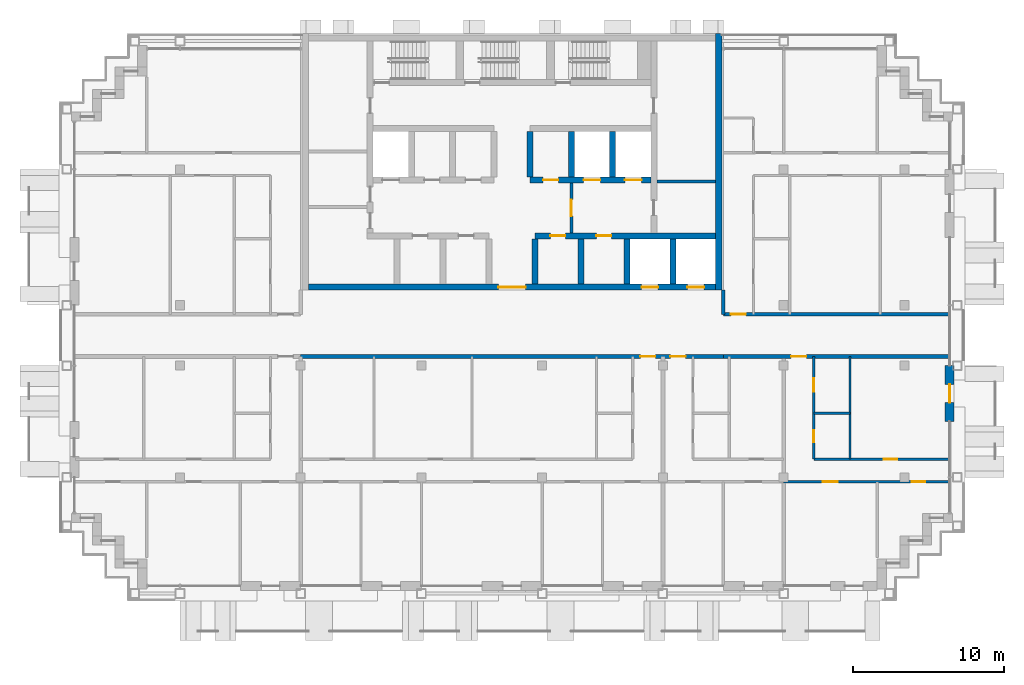
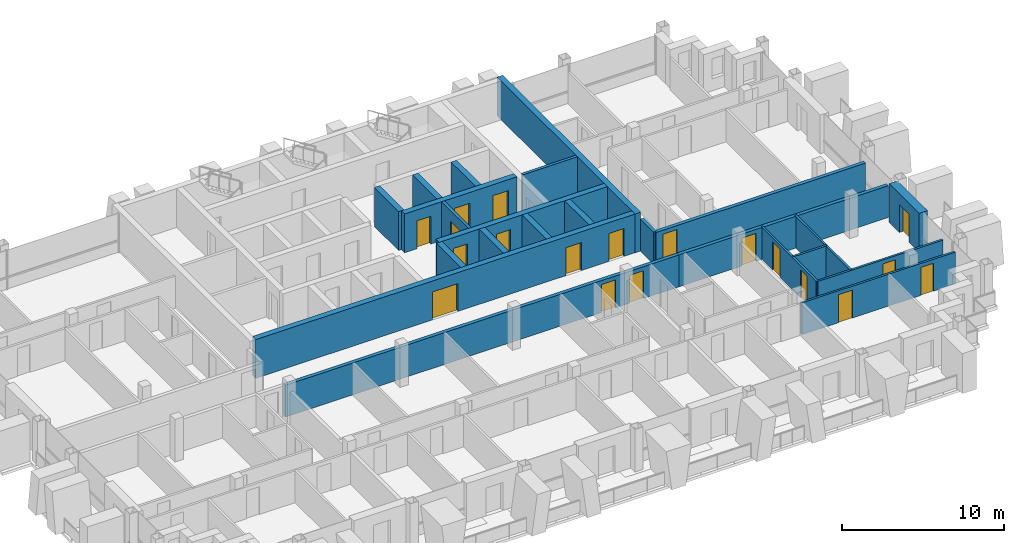
# One storey, part 10 of 16: 23 walls, 19 doors, 19 openings.
"""IFC4 building model written with IfcOpenShell, lengths in metres."""

import ifcopenshell
import ifcopenshell.guid

model = None  # the IFC model being written
_history = None  # IfcOwnerHistory: only IFC2X3 demands one
_inside = {}  # id of a spatial element -> (the spatial element, [elements in it])
_under = {}  # id of a project, library or spatial element -> (it, [spatial elements below it])
_declared = {}  # id of a project -> (the project, [libraries it declares])
_typed = {}  # id of a type object -> (the type object, [elements of that type])
_made_of = {}  # id of a material, layer set ... -> (it, [elements and type objects made of it])


def new_model(schema):
    """Start an empty IFC model of exactly this schema.

    Asked for "IFC4X3", IfcOpenShell would pick the latest addendum, in which some entities
    have other attributes; the version numbers below select the first issue.
    IFC2X3 requires an IfcOwnerHistory on every rooted entity: one is made here for all.
    """
    global model, _history
    if schema == "IFC4X3":
        model = ifcopenshell.file(schema_version=(4, 3, 0, 0))
    else:
        model = ifcopenshell.file(schema=schema)
    _inside.clear()
    _under.clear()
    _declared.clear()
    _typed.clear()
    _made_of.clear()
    _history = None
    if model.schema == "IFC2X3":
        org = make("IfcOrganization", Name="unknown")
        user = make(
            "IfcPersonAndOrganization",
            ThePerson=make("IfcPerson", FamilyName="unknown"),
            TheOrganization=org,
        )
        app = make(
            "IfcApplication",
            ApplicationDeveloper=org,
            Version="unknown",
            ApplicationFullName="unknown",
            ApplicationIdentifier="unknown",
        )
        _history = make(
            "IfcOwnerHistory",
            OwningUser=user,
            OwningApplication=app,
            ChangeAction="ADDED",
            CreationDate=0,
        )
    return model


def make(cls, **values):
    """One entity of the class cls with the attributes given. An attribute that is None is left unset."""
    return model.create_entity(
        cls, **{name: value for name, value in values.items() if value is not None}
    )


def rooted(cls, **values):
    """An entity with a GlobalId (a new one), such as an element, a storey or a relation."""
    return make(cls, GlobalId=ifcopenshell.guid.new(), OwnerHistory=_history, **values)


def si_unit(unit_type, name, prefix=None):
    """IfcSIUnit, for example si_unit("LENGTHUNIT", "METRE", prefix="MILLI")."""
    return make("IfcSIUnit", UnitType=unit_type, Prefix=prefix, Name=name)


def assignment(units):
    """IfcUnitAssignment: the units of a project."""
    return None if units is None else make("IfcUnitAssignment", Units=units)


def point(xyz):
    """IfcCartesianPoint."""
    return None if xyz is None else make("IfcCartesianPoint", Coordinates=xyz)


def direction(xyz):
    """IfcDirection."""
    return None if xyz is None else make("IfcDirection", DirectionRatios=xyz)


def frame(location, z_axis=None, x_axis=None):
    """IfcAxis2Placement3D, a coordinate frame: its origin and axes. An axis left out is left unset."""
    return make(
        "IfcAxis2Placement3D",
        Location=point(location),
        Axis=direction(z_axis),
        RefDirection=direction(x_axis),
    )


def frame_2d(location, x_axis=None):
    """IfcAxis2Placement2D, a coordinate frame in the plane: its origin and x axis."""
    return make(
        "IfcAxis2Placement2D", Location=point(location), RefDirection=direction(x_axis)
    )


def origin():
    """The frame at (0, 0, 0) with its axes left unset."""
    return frame((0.0, 0.0, 0.0))


def place(relative_to, where):
    """IfcLocalPlacement: puts the frame where relative to a parent placement (None: the world)."""
    return make(
        "IfcLocalPlacement", PlacementRelTo=relative_to, RelativePlacement=where
    )


def context(
    kind, dimensions, precision=None, world=None, true_north=None, identifier=None
):
    """IfcGeometricRepresentationContext, for example the 3D "Model" context."""
    return make(
        "IfcGeometricRepresentationContext",
        ContextIdentifier=identifier,
        ContextType=kind,
        CoordinateSpaceDimension=dimensions,
        Precision=precision,
        WorldCoordinateSystem=world,
        TrueNorth=true_north,
    )


def subcontext(parent, identifier, kind, view, scale=None):
    """IfcGeometricRepresentationSubContext, for example "Body" below "Model"."""
    return make(
        "IfcGeometricRepresentationSubContext",
        ContextIdentifier=identifier,
        ContextType=kind,
        ParentContext=parent,
        TargetScale=scale,
        TargetView=view,
    )


def project(units=None, contexts=None):
    """IfcProject with its units and contexts."""
    return rooted(
        "IfcProject",
        Name="project",
        RepresentationContexts=contexts,
        UnitsInContext=assignment(units),
    )


def spatial(cls, under=None, at=None, **own):
    """A site, building, storey or space (cls), placed at a placement, below another one or the project."""
    s = rooted(cls, ObjectPlacement=at, **own)
    if under is not None:
        _under.setdefault(under.id(), (under, []))[1].append(s)
    return s


def profile(cls, at=None, kind="AREA", **sizes):
    """A parametric profile (cls). Its sizes go by their IFC names, for example OverallWidth=200.0."""
    return make(cls, ProfileType=kind, Position=at, **sizes)


def rectangle(**sizes):
    """IfcRectangleProfileDef."""
    return profile("IfcRectangleProfileDef", **sizes)


def extrude(swept, where, along, depth):
    """IfcExtrudedAreaSolid: the profile swept, set in the frame where, extruded along a direction by depth."""
    return make(
        "IfcExtrudedAreaSolid",
        SweptArea=swept,
        Position=where,
        ExtrudedDirection=direction(along),
        Depth=depth,
    )


def shape(context_of_items, identifier, shape_type, items):
    """IfcShapeRepresentation: the items that make up one representation, for example the "Body"."""
    return make(
        "IfcShapeRepresentation",
        ContextOfItems=context_of_items,
        RepresentationIdentifier=identifier,
        RepresentationType=shape_type,
        Items=items,
    )


def material(Name=None, Category=None):
    """IfcMaterial."""
    return make("IfcMaterial", Name=Name, Category=Category)


def layer(
    of_material, thickness, ventilated=None, Name=None, Category=None, Priority=None
):
    """IfcMaterialLayer: one layer of a wall or slab, of a material (None: an air gap)."""
    return make(
        "IfcMaterialLayer",
        Material=of_material,
        LayerThickness=thickness,
        IsVentilated=ventilated,
        Name=Name,
        Category=Category,
        Priority=Priority,
    )


def layer_set(layers, Name=None):
    """IfcMaterialLayerSet."""
    return make("IfcMaterialLayerSet", MaterialLayers=layers, LayerSetName=Name)


def made_of(thing, what):
    """Note that an element or type object is made of a material, layer set ...; save() writes the relation."""
    if what is not None:
        _made_of.setdefault(what.id(), (what, []))[1].append(thing)
    return thing


def type_object(cls, material=None, **own):
    """A type object (cls), such as IfcWallType, which elements share."""
    return made_of(rooted(cls, **own), material)


def element(
    cls,
    number,
    at=None,
    inside=None,
    cuts=None,
    type_object=None,
    material=None,
    context=None,
    identifier="Body",
    shape_type=None,
    held_by="IfcProductDefinitionShape",
    body=None,
    shapes=None,
    **own,
):
    """One element of the class cls, such as IfcWall. Its Tag is "e" and its number.

    at: its placement. inside: the storey or other place that contains it. cuts: it is an
    opening in that element (IfcRelVoidsElement). A single representation is given by context,
    identifier, shape_type and body (its items); several are given by shapes. held_by: the class
    of the entity that holds the representations. save() writes the other relations.
    """
    e = rooted(cls, Tag="e%d" % number, ObjectPlacement=at, **own)
    if body is not None:
        shapes = [shape(context, identifier, shape_type, body)]
    if shapes is not None:
        e.Representation = make(held_by, Representations=shapes)
    if inside is not None:
        _inside.setdefault(inside.id(), (inside, []))[1].append(e)
    if cuts is not None:
        rooted(
            "IfcRelVoidsElement", RelatingBuildingElement=cuts, RelatedOpeningElement=e
        )
    if type_object is not None:
        _typed.setdefault(type_object.id(), (type_object, []))[1].append(e)
    return made_of(e, material)


def fill(opening, filler):
    """IfcRelFillsElement: the door or window that sits in an opening."""
    return rooted(
        "IfcRelFillsElement",
        RelatingOpeningElement=opening,
        RelatedBuildingElement=filler,
    )


def aggregate(whole, parts):
    """IfcRelAggregates: a whole, such as a stair, and the parts it consists of."""
    return rooted("IfcRelAggregates", RelatingObject=whole, RelatedObjects=parts)


def save(model, path):
    """Write the relations noted so far, then the file.

    IfcRelAggregates (storeys below a building ...), IfcRelContainedInSpatialStructure (elements
    in a storey), IfcRelDefinesByType, IfcRelAssociatesMaterial and IfcRelDeclares: one each for
    every whole, place, type object, material and project.
    """
    for whole, parts in _under.values():
        aggregate(whole, parts)
    for where, things in _inside.values():
        rooted(
            "IfcRelContainedInSpatialStructure",
            RelatedElements=things,
            RelatingStructure=where,
        )
    for kind, things in _typed.values():
        rooted("IfcRelDefinesByType", RelatedObjects=things, RelatingType=kind)
    for what, things in _made_of.values():
        rooted("IfcRelAssociatesMaterial", RelatedObjects=things, RelatingMaterial=what)
    for by, libraries in _declared.values():
        rooted("IfcRelDeclares", RelatingContext=by, RelatedDefinitions=libraries)
    model.write(path)


model = new_model("IFC4")

# Units and contexts
model_context = context("Model", 3, precision=1e-05, world=origin(), true_north=direction((0.0, 1.0)))
body_context = subcontext(model_context, "Body", "Model", "MODEL_VIEW")
ifc_project = project(units=[si_unit("LENGTHUNIT", "METRE"), si_unit("AREAUNIT", "SQUARE_METRE"), si_unit("VOLUMEUNIT", "CUBIC_METRE"), si_unit("PLANEANGLEUNIT", "RADIAN"), si_unit("MASSUNIT", "GRAM", prefix="KILO")], contexts=[model_context])

# Site, building, storey
site_placement = place(None, origin())
site = spatial("IfcSite", under=ifc_project, at=site_placement, CompositionType="ELEMENT")
building_placement = place(site_placement, origin())
building = spatial("IfcBuilding", under=site, at=building_placement, Name="Vidyagriha Tower", CompositionType="ELEMENT")
storey_placement = place(building_placement, frame((0.0, 0.0, 207.60009765625)))
storey = spatial("IfcBuildingStorey", under=building, at=storey_placement, Name="L53", CompositionType="ELEMENT", Elevation=207.60009765625)

# Wall, opening, door
ifc_material_1 = material(Name="Precast concrete C40/50 with brick facing", Category="concrete")
ifc_layer_1 = layer(ifc_material_1, 0.60009765625)
ifc_layer_set_1 = layer_set([ifc_layer_1], Name="Precast concrete C40/50 with brick facing")
wall_type_1 = type_object("IfcWallType", Name="Brick-faced precast wall 600", PredefinedType="STANDARD", material=ifc_layer_set_1)
wall_1_placement = place(storey_placement, frame((29.0, -5.699951171875, 0.0), z_axis=(0.0, 0.0, 1.0), x_axis=(0.0, 1.0, 0.0)))
wall_1 = element("IfcWall", 1, at=wall_1_placement, inside=storey, type_object=wall_type_1, Name="Brick door bay wall L53 R30.3", PredefinedType="STANDARD", context=body_context, shape_type="SweptSolid", body=[
    extrude(rectangle(XDim=3.699951171875, YDim=0.60009765625, at=frame_2d((1.85009765625, 0.0))), origin(), (0.0, 0.0, 1.0), 2.919921875),
])
opening_1_placement = place(wall_1_placement, frame((1.25, 0.0, 0.0)))
opening_1 = element("IfcOpeningElement", 2, at=opening_1_placement, cuts=wall_1, Name="Opening D53-73", PredefinedType="OPENING", context=body_context, shape_type="SweptSolid", body=[
    extrude(rectangle(XDim=1.199951171875, YDim=2.10009765625, at=frame_2d((0.60009765625, 1.050048828125))), frame((0.0, 0.31005859375, 0.0), z_axis=(0.0, -1.0, 0.0), x_axis=(1.0, 0.0, 0.0)), (0.0, 0.0, 1.0), 0.6201171875),
])
ifc_material_2 = material(Name="Aluminium framed glazed sliding door", Category="aluminium")
door_type_1 = type_object("IfcDoorType", Name="Balcony sliding door 1200x2100", OperationType="NOTDEFINED", PredefinedType="DOOR", material=ifc_material_2)
door_1_placement = place(opening_1_placement, origin())
door_1 = element("IfcDoor", 3, at=door_1_placement, inside=storey, type_object=door_type_1, Name="Door D53-73", OperationType="SLIDING_TO_LEFT", OverallHeight=2.10009765625, OverallWidth=1.199951171875, PredefinedType="DOOR", context=body_context, shape_type="SweptSolid", body=[
    extrude(rectangle(XDim=1.199951171875, YDim=2.10009765625, at=frame_2d((0.60009765625, 1.050048828125))), frame((0.0, 0.02490234375, 0.0), z_axis=(0.0, -1.0, 0.0), x_axis=(1.0, 0.0, 0.0)), (0.0, 0.0, 1.0), 0.050048828125),
])
fill(opening_1, door_1)

# Wall
ifc_material_3 = material(Name="Concrete C60/75", Category="concrete")
ifc_layer_2 = layer(ifc_material_3, 0.39990234375)
ifc_layer_set_2 = layer_set([ifc_layer_2], Name="Concrete C60/75")
wall_type_2 = type_object("IfcWallType", Name="Core shear wall 400 mm", PredefinedType="SHEAR", material=ifc_layer_set_2)
wall_2_placement = place(storey_placement, frame((13.699951171875, 3.0, 0.0), z_axis=(0.0, 0.0, 1.0), x_axis=(0.0, 1.0, 0.0)))
element("IfcWall", 4, at=wall_2_placement, inside=storey, type_object=wall_type_2, Name="Core east wall", PredefinedType="SHEAR", context=body_context, shape_type="SweptSolid", body=[
    extrude(rectangle(XDim=17.0, YDim=0.39990234375, at=frame_2d((8.5, 0.0))), origin(), (0.0, 0.0, 1.0), 2.919921875),
])

# Wall, openings, doors
wall_3_placement = place(storey_placement, frame((-13.5, 3.199951171875, 0.0)))
wall_3 = element("IfcWall", 5, at=wall_3_placement, inside=storey, type_object=wall_type_2, Name="Core front wall", PredefinedType="SHEAR", context=body_context, shape_type="SweptSolid", body=[
    extrude(rectangle(XDim=27.0, YDim=0.39990234375, at=frame_2d((13.5, 0.0))), origin(), (0.0, 0.0, 1.0), 2.919921875),
])
opening_2_placement = place(wall_3_placement, frame((22.083251953125, 0.0, 0.0)))
opening_2 = element("IfcOpeningElement", 6, at=opening_2_placement, cuts=wall_3, Name="Opening LD53-01", PredefinedType="OPENING", context=body_context, shape_type="SweptSolid", body=[
    extrude(rectangle(XDim=1.10009765625, YDim=2.10009765625, at=frame_2d((0.550048828125, 1.050048828125))), frame((0.0, 0.2099609375, 0.0), z_axis=(0.0, -1.0, 0.0), x_axis=(1.0, 0.0, 0.0)), (0.0, 0.0, 1.0), 0.419921875),
])
opening_3_placement = place(wall_3_placement, frame((25.127685546875, 0.0, 0.0)))
opening_3 = element("IfcOpeningElement", 7, at=opening_3_placement, cuts=wall_3, Name="Opening LD53-02", PredefinedType="OPENING", context=body_context, shape_type="SweptSolid", body=[
    extrude(rectangle(XDim=1.10009765625, YDim=2.10009765625, at=frame_2d((0.550048828125, 1.050048828125))), frame((0.0, 0.2099609375, 0.0), z_axis=(0.0, -1.0, 0.0), x_axis=(1.0, 0.0, 0.0)), (0.0, 0.0, 1.0), 0.419921875),
])
opening_4_placement = place(wall_3_placement, frame((12.60009765625, 0.0, 0.0)))
opening_4 = element("IfcOpeningElement", 8, at=opening_4_placement, cuts=wall_3, Name="Opening D53-01", PredefinedType="OPENING", context=body_context, shape_type="SweptSolid", body=[
    extrude(rectangle(XDim=1.800048828125, YDim=2.10009765625, at=frame_2d((0.89990234375, 1.050048828125))), frame((0.0, 0.2099609375, 0.0), z_axis=(0.0, -1.0, 0.0), x_axis=(1.0, 0.0, 0.0)), (0.0, 0.0, 1.0), 0.419921875),
])
ifc_material_4 = material(Name="Hollow metal door leaf")
door_type_2 = type_object("IfcDoorType", Name="Core lobby double door 1800 x 2100 mm EI 60", OperationType="NOTDEFINED", PredefinedType="DOOR", material=ifc_material_4)
door_2_placement = place(opening_4_placement, frame((1.800048828125, 0.0, 0.0), z_axis=(0.0, 0.0, 1.0), x_axis=(-1.0, 0.0, 0.0)))
door_2 = element("IfcDoor", 9, at=door_2_placement, inside=storey, type_object=door_type_2, Name="Core entrance door L53", OperationType="DOUBLE_DOOR_SINGLE_SWING", OverallHeight=2.10009765625, OverallWidth=1.800048828125, PredefinedType="DOOR", context=body_context, shape_type="SweptSolid", body=[
    extrude(rectangle(XDim=1.800048828125, YDim=2.10009765625, at=frame_2d((0.89990234375, 1.050048828125))), frame((0.0, 0.02490234375, 0.0), z_axis=(0.0, -1.0, 0.0), x_axis=(1.0, 0.0, 0.0)), (0.0, 0.0, 1.0), 0.050048828125),
])
fill(opening_4, door_2)
ifc_material_5 = material(Name="Stainless steel sliding door panel", Category="steel")
door_type_3 = type_object("IfcDoorType", Name="Lift landing door 1100 x 2100 mm EI 90", OperationType="NOTDEFINED", PredefinedType="DOOR", material=ifc_material_5)
door_3_placement = place(opening_2_placement, origin())
door_3 = element("IfcDoor", 10, at=door_3_placement, inside=storey, type_object=door_type_3, Name="Landing door MR1 L53", OperationType="SLIDING_TO_LEFT", OverallHeight=2.10009765625, OverallWidth=1.10009765625, PredefinedType="DOOR", context=body_context, shape_type="SweptSolid", body=[
    extrude(rectangle(XDim=1.10009765625, YDim=2.10009765625, at=frame_2d((0.550048828125, 1.050048828125))), frame((0.0, 0.02490234375, 0.0), z_axis=(0.0, -1.0, 0.0), x_axis=(1.0, 0.0, 0.0)), (0.0, 0.0, 1.0), 0.050048828125),
])
fill(opening_2, door_3)
door_4_placement = place(opening_3_placement, origin())
door_4 = element("IfcDoor", 11, at=door_4_placement, inside=storey, type_object=door_type_3, Name="Landing door MR2 L53", OperationType="SLIDING_TO_LEFT", OverallHeight=2.10009765625, OverallWidth=1.10009765625, PredefinedType="DOOR", context=body_context, shape_type="SweptSolid", body=[
    extrude(rectangle(XDim=1.10009765625, YDim=2.10009765625, at=frame_2d((0.550048828125, 1.050048828125))), frame((0.0, 0.02490234375, 0.0), z_axis=(0.0, -1.0, 0.0), x_axis=(1.0, 0.0, 0.0)), (0.0, 0.0, 1.0), 0.050048828125),
])
fill(opening_3, door_4)

wall_4_placement = place(storey_placement, frame((1.522216796875, 6.60009765625, 0.0)))
wall_4 = element("IfcWall", 12, at=wall_4_placement, inside=storey, type_object=wall_type_2, Name="Core lobby south wall east", PredefinedType="SHEAR", context=body_context, shape_type="SweptSolid", body=[
    extrude(rectangle(XDim=11.977783203125, YDim=0.39990234375, at=frame_2d((5.98876953125, 0.0))), origin(), (0.0, 0.0, 1.0), 2.919921875),
])
opening_5_placement = place(wall_4_placement, frame((1.022216796875, 0.0, 0.0)))
opening_5 = element("IfcOpeningElement", 13, at=opening_5_placement, cuts=wall_4, Name="Opening D53-04", PredefinedType="OPENING", context=body_context, shape_type="SweptSolid", body=[
    extrude(rectangle(XDim=1.0, YDim=2.10009765625, at=frame_2d((0.5, 1.050048828125))), frame((0.0, 0.2099609375, 0.0), z_axis=(0.0, -1.0, 0.0), x_axis=(1.0, 0.0, 0.0)), (0.0, 0.0, 1.0), 0.419921875),
])
opening_6_placement = place(wall_4_placement, frame((4.066650390625, 0.0, 0.0)))
opening_6 = element("IfcOpeningElement", 14, at=opening_6_placement, cuts=wall_4, Name="Opening D53-05", PredefinedType="OPENING", context=body_context, shape_type="SweptSolid", body=[
    extrude(rectangle(XDim=1.0, YDim=2.10009765625, at=frame_2d((0.5, 1.050048828125))), frame((0.0, 0.2099609375, 0.0), z_axis=(0.0, -1.0, 0.0), x_axis=(1.0, 0.0, 0.0)), (0.0, 0.0, 1.0), 0.419921875),
])
ifc_material_6 = material(Name="Hollow metal door leaf")
door_type_4 = type_object("IfcDoorType", Name="Core room door 1000 x 2100 mm EI 60", OperationType="NOTDEFINED", PredefinedType="DOOR", material=ifc_material_6)
door_5_placement = place(opening_5_placement, origin())
door_5 = element("IfcDoor", 15, at=door_5_placement, inside=storey, type_object=door_type_4, Name="Door Refuse Room 53.03", OperationType="SINGLE_SWING_RIGHT", OverallHeight=2.10009765625, OverallWidth=1.0, PredefinedType="DOOR", context=body_context, shape_type="SweptSolid", body=[
    extrude(rectangle(XDim=1.0, YDim=2.10009765625, at=frame_2d((0.5, 1.050048828125))), frame((0.0, 0.02490234375, 0.0), z_axis=(0.0, -1.0, 0.0), x_axis=(1.0, 0.0, 0.0)), (0.0, 0.0, 1.0), 0.050048828125),
])
fill(opening_5, door_5)
door_6_placement = place(opening_6_placement, origin())
door_6 = element("IfcDoor", 16, at=door_6_placement, inside=storey, type_object=door_type_4, Name="Door Pressurisation Plant Room 53.04", OperationType="SINGLE_SWING_RIGHT", OverallHeight=2.10009765625, OverallWidth=1.0, PredefinedType="DOOR", context=body_context, shape_type="SweptSolid", body=[
    extrude(rectangle(XDim=1.0, YDim=2.10009765625, at=frame_2d((0.5, 1.050048828125))), frame((0.0, 0.02490234375, 0.0), z_axis=(0.0, -1.0, 0.0), x_axis=(1.0, 0.0, 0.0)), (0.0, 0.0, 1.0), 0.050048828125),
])
fill(opening_6, door_6)

# Walls
for number, where, z_axis, x_axis, name in (
    (17, (1.522216796875, 3.39990234375, 0.0), (0.0, 0.0, 1.0), (0.0, 1.0, 0.0), "Core bay wall S5"),
    (18, (4.566650390625, 3.39990234375, 0.0), (0.0, 0.0, 1.0), (0.0, 1.0, 0.0), "Core bay wall S6"),
    (19, (7.611083984375, 3.39990234375, 0.0), (0.0, 0.0, 1.0), (0.0, 1.0, 0.0), "Core bay wall S7"),
    (20, (10.655517578125, 3.39990234375, 0.0), (0.0, 0.0, 1.0), (0.0, 1.0, 0.0), "Core bay wall S8"),
):
    element("IfcWall", number, at=place(storey_placement, frame(where, z_axis=z_axis, x_axis=x_axis)), inside=storey, type_object=wall_type_2, Name=name, PredefinedType="SHEAR", context=body_context, shape_type="SweptSolid", body=[
        extrude(rectangle(XDim=3.0, YDim=0.39990234375, at=frame_2d((1.5, 0.0))), origin(), (0.0, 0.0, 1.0), 2.919921875),
    ])

# Wall, openings, doors
wall_5_placement = place(storey_placement, frame((1.199951171875, 10.300048828125, 0.0)))
wall_5 = element("IfcWall", 21, at=wall_5_placement, inside=storey, type_object=wall_type_2, Name="Core row N front wall", PredefinedType="SHEAR", context=body_context, shape_type="SweptSolid", body=[
    extrude(rectangle(XDim=8.0, YDim=0.39990234375, at=frame_2d((4.0, 0.0))), origin(), (0.0, 0.0, 1.0), 2.919921875),
])
opening_7_placement = place(wall_5_placement, frame((3.550048828125, 0.0, 0.0)))
opening_7 = element("IfcOpeningElement", 22, at=opening_7_placement, cuts=wall_5, Name="Opening LD53-04", PredefinedType="OPENING", context=body_context, shape_type="SweptSolid", body=[
    extrude(rectangle(XDim=1.10009765625, YDim=2.10009765625, at=frame_2d((0.550048828125, 1.050048828125))), frame((0.0, 0.2099609375, 0.0), z_axis=(0.0, -1.0, 0.0), x_axis=(1.0, 0.0, 0.0)), (0.0, 0.0, 1.0), 0.419921875),
])
opening_8_placement = place(wall_5_placement, frame((6.283203125, 0.0, 0.0)))
opening_8 = element("IfcOpeningElement", 23, at=opening_8_placement, cuts=wall_5, Name="Opening LD53-05", PredefinedType="OPENING", context=body_context, shape_type="SweptSolid", body=[
    extrude(rectangle(XDim=1.10009765625, YDim=2.10009765625, at=frame_2d((0.550048828125, 1.050048828125))), frame((0.0, 0.2099609375, 0.0), z_axis=(0.0, -1.0, 0.0), x_axis=(1.0, 0.0, 0.0)), (0.0, 0.0, 1.0), 0.419921875),
])
opening_9_placement = place(wall_5_placement, frame((0.86669921875, 0.0, 0.0)))
opening_9 = element("IfcOpeningElement", 24, at=opening_9_placement, cuts=wall_5, Name="Opening D53-08", PredefinedType="OPENING", context=body_context, shape_type="SweptSolid", body=[
    extrude(rectangle(XDim=1.0, YDim=2.10009765625, at=frame_2d((0.5, 1.050048828125))), frame((0.0, 0.2099609375, 0.0), z_axis=(0.0, -1.0, 0.0), x_axis=(1.0, 0.0, 0.0)), (0.0, 0.0, 1.0), 0.419921875),
])
door_7_placement = place(opening_9_placement, frame((1.0, 0.0, 0.0), z_axis=(0.0, 0.0, 1.0), x_axis=(-1.0, 0.0, 0.0)))
door_7 = element("IfcDoor", 25, at=door_7_placement, inside=storey, type_object=door_type_4, Name="Door Cleaners Store 53.16", OperationType="SINGLE_SWING_LEFT", OverallHeight=2.10009765625, OverallWidth=1.0, PredefinedType="DOOR", context=body_context, shape_type="SweptSolid", body=[
    extrude(rectangle(XDim=1.0, YDim=2.10009765625, at=frame_2d((0.5, 1.050048828125))), frame((0.0, 0.02490234375, 0.0), z_axis=(0.0, -1.0, 0.0), x_axis=(1.0, 0.0, 0.0)), (0.0, 0.0, 1.0), 0.050048828125),
])
fill(opening_9, door_7)
door_8_placement = place(opening_7_placement, origin())
door_8 = element("IfcDoor", 26, at=door_8_placement, inside=storey, type_object=door_type_3, Name="Landing door FF1 L53", OperationType="SLIDING_TO_LEFT", OverallHeight=2.10009765625, OverallWidth=1.10009765625, PredefinedType="DOOR", context=body_context, shape_type="SweptSolid", body=[
    extrude(rectangle(XDim=1.10009765625, YDim=2.10009765625, at=frame_2d((0.550048828125, 1.050048828125))), frame((0.0, 0.02490234375, 0.0), z_axis=(0.0, -1.0, 0.0), x_axis=(1.0, 0.0, 0.0)), (0.0, 0.0, 1.0), 0.050048828125),
])
fill(opening_7, door_8)
door_9_placement = place(opening_8_placement, origin())
door_9 = element("IfcDoor", 27, at=door_9_placement, inside=storey, type_object=door_type_3, Name="Landing door FF2 L53", OperationType="SLIDING_TO_LEFT", OverallHeight=2.10009765625, OverallWidth=1.10009765625, PredefinedType="DOOR", context=body_context, shape_type="SweptSolid", body=[
    extrude(rectangle(XDim=1.10009765625, YDim=2.10009765625, at=frame_2d((0.550048828125, 1.050048828125))), frame((0.0, 0.02490234375, 0.0), z_axis=(0.0, -1.0, 0.0), x_axis=(1.0, 0.0, 0.0)), (0.0, 0.0, 1.0), 0.050048828125),
])
fill(opening_8, door_9)

# Walls
for number, where, z_axis, x_axis, name in (
    (28, (1.199951171875, 10.5, 0.0), (0.0, 0.0, 1.0), (0.0, 1.0, 0.0), "Core bay wall N4"),
    (29, (3.933349609375, 10.5, 0.0), (0.0, 0.0, 1.0), (0.0, 1.0, 0.0), "Core bay wall N5"),
    (30, (6.666748046875, 10.5, 0.0), (0.0, 0.0, 1.0), (0.0, 1.0, 0.0), "Core bay wall N6"),
):
    element("IfcWall", number, at=place(storey_placement, frame(where, z_axis=z_axis, x_axis=x_axis)), inside=storey, type_object=wall_type_2, Name=name, PredefinedType="SHEAR", context=body_context, shape_type="SweptSolid", body=[
        extrude(rectangle(XDim=3.0, YDim=0.39990234375, at=frame_2d((1.5, 0.0))), origin(), (0.0, 0.0, 1.0), 2.919921875),
    ])

# Wall, opening, door
ifc_material_7 = material(Name="Fired clay brick masonry", Category="masonry")
ifc_layer_3 = layer(ifc_material_7, 0.25)
ifc_layer_set_3 = layer_set([ifc_layer_3], Name="Fired clay brick masonry")
wall_type_3 = type_object("IfcWallType", Name="Fired clay brick corridor wall 250", PredefinedType="PARTITIONING", material=ifc_layer_set_3)
wall_6_placement = place(storey_placement, frame((28.919921875, -1.39990234375, 0.0), z_axis=(0.0, 0.0, 1.0), x_axis=(-1.0, 0.0, 0.0)))
wall_6 = element("IfcWall", 31, at=wall_6_placement, inside=storey, type_object=wall_type_3, Name="Wall all-L53-w067", PredefinedType="PARTITIONING", context=body_context, shape_type="SweptSolid", body=[
    extrude(rectangle(XDim=14.919921875, YDim=0.25, at=frame_2d((7.4599609375, 0.0))), origin(), (0.0, 0.0, 1.0), 2.39990234375),
])
opening_10_placement = place(wall_6_placement, frame((9.419921875, 0.0, 0.0)))
opening_10 = element("IfcOpeningElement", 32, at=opening_10_placement, cuts=wall_6, Name="Opening D53-48", PredefinedType="OPENING", context=body_context, shape_type="SweptSolid", body=[
    extrude(rectangle(XDim=1.0, YDim=2.10009765625, at=frame_2d((0.5, 1.050048828125))), frame((0.0, 0.135009765625, 0.0), z_axis=(0.0, -1.0, 0.0), x_axis=(1.0, 0.0, 0.0)), (0.0, 0.0, 1.0), 0.27001953125),
])
ifc_material_8 = material(Name="Fire-rated timber door leaf EI 60", Category="wood")
door_type_5 = type_object("IfcDoorType", Name="Flat entrance fire door 1000x2100", OperationType="NOTDEFINED", PredefinedType="DOOR", material=ifc_material_8)
door_10_placement = place(opening_10_placement, origin())
door_10 = element("IfcDoor", 33, at=door_10_placement, inside=storey, type_object=door_type_5, Name="Door D53-48", OperationType="SINGLE_SWING_RIGHT", OverallHeight=2.10009765625, OverallWidth=1.0, PredefinedType="DOOR", context=body_context, shape_type="SweptSolid", body=[
    extrude(rectangle(XDim=1.0, YDim=2.10009765625, at=frame_2d((0.5, 1.050048828125))), frame((0.0, 0.02490234375, 0.0), z_axis=(0.0, -1.0, 0.0), x_axis=(1.0, 0.0, 0.0)), (0.0, 0.0, 1.0), 0.050048828125),
])
fill(opening_10, door_10)

wall_7_placement = place(storey_placement, frame((14.0, 1.39990234375, 0.0)))
wall_7 = element("IfcWall", 34, at=wall_7_placement, inside=storey, type_object=wall_type_3, Name="Wall all-L53-w102", PredefinedType="PARTITIONING", context=body_context, shape_type="SweptSolid", body=[
    extrude(rectangle(XDim=14.919921875, YDim=0.25, at=frame_2d((7.4599609375, 0.0))), origin(), (0.0, 0.0, 1.0), 2.39990234375),
])
opening_11_placement = place(wall_7_placement, frame((0.5, 0.0, 0.0)))
opening_11 = element("IfcOpeningElement", 35, at=opening_11_placement, cuts=wall_7, Name="Opening D53-64", PredefinedType="OPENING", context=body_context, shape_type="SweptSolid", body=[
    extrude(rectangle(XDim=1.0, YDim=2.10009765625, at=frame_2d((0.5, 1.050048828125))), frame((0.0, 0.135009765625, 0.0), z_axis=(0.0, -1.0, 0.0), x_axis=(1.0, 0.0, 0.0)), (0.0, 0.0, 1.0), 0.27001953125),
])
door_11_placement = place(opening_11_placement, origin())
door_11 = element("IfcDoor", 36, at=door_11_placement, inside=storey, type_object=door_type_5, Name="Door D53-64", OperationType="SINGLE_SWING_LEFT", OverallHeight=2.10009765625, OverallWidth=1.0, PredefinedType="DOOR", context=body_context, shape_type="SweptSolid", body=[
    extrude(rectangle(XDim=1.0, YDim=2.10009765625, at=frame_2d((0.5, 1.050048828125))), frame((0.0, 0.02490234375, 0.0), z_axis=(0.0, -1.0, 0.0), x_axis=(1.0, 0.0, 0.0)), (0.0, 0.0, 1.0), 0.050048828125),
])
fill(opening_11, door_11)

# Wall, openings, doors
wall_8_placement = place(storey_placement, frame((14.0, -1.39990234375, 0.0), z_axis=(0.0, 0.0, 1.0), x_axis=(-1.0, 0.0, 0.0)))
wall_8 = element("IfcWall", 37, at=wall_8_placement, inside=storey, type_object=wall_type_3, Name="Wall all-L53-w103", PredefinedType="PARTITIONING", context=body_context, shape_type="SweptSolid", body=[
    extrude(rectangle(XDim=28.0, YDim=0.25, at=frame_2d((14.0, 0.0))), origin(), (0.0, 0.0, 1.0), 2.39990234375),
])
opening_12_placement = place(wall_8_placement, frame((4.5, 0.0, 0.0)))
opening_12 = element("IfcOpeningElement", 38, at=opening_12_placement, cuts=wall_8, Name="Opening D53-36", PredefinedType="OPENING", context=body_context, shape_type="SweptSolid", body=[
    extrude(rectangle(XDim=1.0, YDim=2.10009765625, at=frame_2d((0.5, 1.050048828125))), frame((0.0, 0.135009765625, 0.0), z_axis=(0.0, -1.0, 0.0), x_axis=(1.0, 0.0, 0.0)), (0.0, 0.0, 1.0), 0.27001953125),
])
opening_13_placement = place(wall_8_placement, frame((2.5, 0.0, 0.0)))
opening_13 = element("IfcOpeningElement", 39, at=opening_13_placement, cuts=wall_8, Name="Opening D53-42", PredefinedType="OPENING", context=body_context, shape_type="SweptSolid", body=[
    extrude(rectangle(XDim=1.0, YDim=2.10009765625, at=frame_2d((0.5, 1.050048828125))), frame((0.0, 0.135009765625, 0.0), z_axis=(0.0, -1.0, 0.0), x_axis=(1.0, 0.0, 0.0)), (0.0, 0.0, 1.0), 0.27001953125),
])
door_12_placement = place(opening_12_placement, origin())
door_12 = element("IfcDoor", 40, at=door_12_placement, inside=storey, type_object=door_type_5, Name="Door D53-36", OperationType="SINGLE_SWING_LEFT", OverallHeight=2.10009765625, OverallWidth=1.0, PredefinedType="DOOR", context=body_context, shape_type="SweptSolid", body=[
    extrude(rectangle(XDim=1.0, YDim=2.10009765625, at=frame_2d((0.5, 1.050048828125))), frame((0.0, 0.02490234375, 0.0), z_axis=(0.0, -1.0, 0.0), x_axis=(1.0, 0.0, 0.0)), (0.0, 0.0, 1.0), 0.050048828125),
])
fill(opening_12, door_12)
door_13_placement = place(opening_13_placement, origin())
door_13 = element("IfcDoor", 41, at=door_13_placement, inside=storey, type_object=door_type_5, Name="Door D53-42", OperationType="SINGLE_SWING_RIGHT", OverallHeight=2.10009765625, OverallWidth=1.0, PredefinedType="DOOR", context=body_context, shape_type="SweptSolid", body=[
    extrude(rectangle(XDim=1.0, YDim=2.10009765625, at=frame_2d((0.5, 1.050048828125))), frame((0.0, 0.02490234375, 0.0), z_axis=(0.0, -1.0, 0.0), x_axis=(1.0, 0.0, 0.0)), (0.0, 0.0, 1.0), 0.050048828125),
])
fill(opening_13, door_13)

# Walls
wall_9_placement = place(storey_placement, frame((14.0, 1.39990234375, 0.0), z_axis=(0.0, 0.0, 1.0), x_axis=(0.0, 1.0, 0.0)))
element("IfcWall", 42, at=wall_9_placement, inside=storey, type_object=wall_type_3, Name="Wall all-L53-w105", PredefinedType="PARTITIONING", context=body_context, shape_type="SweptSolid", body=[
    extrude(rectangle(XDim=1.60009765625, YDim=0.25, at=frame_2d((0.800048828125, 0.0))), origin(), (0.0, 0.0, 1.0), 2.39990234375),
])
ifc_material_9 = material(Name="Gypsum board partition")
ifc_layer_4 = layer(ifc_material_9, 0.14990234375)
ifc_layer_set_4 = layer_set([ifc_layer_4], Name="Gypsum board partition")
wall_type_4 = type_object("IfcWallType", Name="Gypsum board partition 150", PredefinedType="PARTITIONING", material=ifc_layer_set_4)
wall_10_placement = place(storey_placement, frame((22.39990234375, -5.14990234375, 0.0), z_axis=(0.0, 0.0, 1.0), x_axis=(-1.0, 0.0, 0.0)))
element("IfcWall", 43, at=wall_10_placement, inside=storey, type_object=wall_type_4, Name="Wall all-L53-w056", PredefinedType="PARTITIONING", context=body_context, shape_type="SweptSolid", body=[
    extrude(rectangle(XDim=2.39990234375, YDim=0.14990234375, at=frame_2d((1.199951171875, 0.0))), origin(), (0.0, 0.0, 1.0), 2.39990234375),
])
wall_11_placement = place(storey_placement, frame((22.39990234375, -1.39990234375, 0.0), z_axis=(0.0, 0.0, 1.0), x_axis=(0.0, -1.0, 0.0)))
element("IfcWall", 44, at=wall_11_placement, inside=storey, type_object=wall_type_4, Name="Wall all-L53-w057", PredefinedType="PARTITIONING", context=body_context, shape_type="SweptSolid", body=[
    extrude(rectangle(XDim=6.800048828125, YDim=0.14990234375, at=frame_2d((3.39990234375, 0.0))), origin(), (0.0, 0.0, 1.0), 2.39990234375),
])

# Wall, opening, door
wall_12_placement = place(storey_placement, frame((20.0, -8.199951171875, 0.0)))
wall_12 = element("IfcWall", 45, at=wall_12_placement, inside=storey, type_object=wall_type_4, Name="Wall all-L53-w058", PredefinedType="PARTITIONING", context=body_context, shape_type="SweptSolid", body=[
    extrude(rectangle(XDim=8.919921875, YDim=0.14990234375, at=frame_2d((4.4599609375, 0.0))), origin(), (0.0, 0.0, 1.0), 2.39990234375),
])
opening_14_placement = place(wall_12_placement, frame((4.6240234375, 0.0, 0.0)))
opening_14 = element("IfcOpeningElement", 46, at=opening_14_placement, cuts=wall_12, Name="Opening D53-45", PredefinedType="OPENING", context=body_context, shape_type="SweptSolid", body=[
    extrude(rectangle(XDim=0.89990234375, YDim=2.10009765625, at=frame_2d((0.449951171875, 1.050048828125))), frame((0.0, 0.0849609375, 0.0), z_axis=(0.0, -1.0, 0.0), x_axis=(1.0, 0.0, 0.0)), (0.0, 0.0, 1.0), 0.169921875),
])
ifc_material_10 = material(Name="Timber door leaf", Category="wood")
door_type_6 = type_object("IfcDoorType", Name="Room door 900x2100", OperationType="NOTDEFINED", PredefinedType="DOOR", material=ifc_material_10)
door_14_placement = place(opening_14_placement, origin())
door_14 = element("IfcDoor", 47, at=door_14_placement, inside=storey, type_object=door_type_6, Name="Door D53-45", OperationType="SINGLE_SWING_LEFT", OverallHeight=2.10009765625, OverallWidth=0.89990234375, PredefinedType="DOOR", context=body_context, shape_type="SweptSolid", body=[
    extrude(rectangle(XDim=0.89990234375, YDim=2.10009765625, at=frame_2d((0.449951171875, 1.050048828125))), frame((0.0, 0.02490234375, 0.0), z_axis=(0.0, -1.0, 0.0), x_axis=(1.0, 0.0, 0.0)), (0.0, 0.0, 1.0), 0.050048828125),
])
fill(opening_14, door_14)

# Wall, openings, doors
wall_13_placement = place(storey_placement, frame((28.919921875, -9.699951171875, 0.0), z_axis=(0.0, 0.0, 1.0), x_axis=(-1.0, 0.0, 0.0)))
wall_13 = element("IfcWall", 48, at=wall_13_placement, inside=storey, type_object=wall_type_4, Name="Wall all-L53-w060", PredefinedType="PARTITIONING", context=body_context, shape_type="SweptSolid", body=[
    extrude(rectangle(XDim=10.919921875, YDim=0.14990234375, at=frame_2d((5.4599609375, 0.0))), origin(), (0.0, 0.0, 1.0), 2.39990234375),
])
opening_15_placement = place(wall_13_placement, frame((7.320068359375, 0.0, 0.0)))
opening_15 = element("IfcOpeningElement", 49, at=opening_15_placement, cuts=wall_13, Name="Opening D53-46", PredefinedType="OPENING", context=body_context, shape_type="SweptSolid", body=[
    extrude(rectangle(XDim=1.0, YDim=2.10009765625, at=frame_2d((0.5, 1.050048828125))), frame((0.0, 0.0849609375, 0.0), z_axis=(0.0, -1.0, 0.0), x_axis=(1.0, 0.0, 0.0)), (0.0, 0.0, 1.0), 0.169921875),
])
opening_16_placement = place(wall_13_placement, frame((1.5439453125, 0.0, 0.0)))
opening_16 = element("IfcOpeningElement", 50, at=opening_16_placement, cuts=wall_13, Name="Opening D53-47", PredefinedType="OPENING", context=body_context, shape_type="SweptSolid", body=[
    extrude(rectangle(XDim=0.89990234375, YDim=2.10009765625, at=frame_2d((0.449951171875, 1.050048828125))), frame((0.0, 0.0849609375, 0.0), z_axis=(0.0, -1.0, 0.0), x_axis=(1.0, 0.0, 0.0)), (0.0, 0.0, 1.0), 0.169921875),
])
ifc_material_11 = material(Name="Timber door leaf", Category="wood")
door_type_7 = type_object("IfcDoorType", Name="Room door 1000x2100", OperationType="NOTDEFINED", PredefinedType="DOOR", material=ifc_material_11)
door_15_placement = place(opening_15_placement, origin())
door_15 = element("IfcDoor", 51, at=door_15_placement, inside=storey, type_object=door_type_7, Name="Door D53-46", OperationType="SINGLE_SWING_LEFT", OverallHeight=2.10009765625, OverallWidth=1.0, PredefinedType="DOOR", context=body_context, shape_type="SweptSolid", body=[
    extrude(rectangle(XDim=1.0, YDim=2.10009765625, at=frame_2d((0.5, 1.050048828125))), frame((0.0, 0.02490234375, 0.0), z_axis=(0.0, -1.0, 0.0), x_axis=(1.0, 0.0, 0.0)), (0.0, 0.0, 1.0), 0.050048828125),
])
fill(opening_15, door_15)
door_16_placement = place(opening_16_placement, origin())
door_16 = element("IfcDoor", 52, at=door_16_placement, inside=storey, type_object=door_type_6, Name="Door D53-47", OperationType="SINGLE_SWING_LEFT", OverallHeight=2.10009765625, OverallWidth=0.89990234375, PredefinedType="DOOR", context=body_context, shape_type="SweptSolid", body=[
    extrude(rectangle(XDim=0.89990234375, YDim=2.10009765625, at=frame_2d((0.449951171875, 1.050048828125))), frame((0.0, 0.02490234375, 0.0), z_axis=(0.0, -1.0, 0.0), x_axis=(1.0, 0.0, 0.0)), (0.0, 0.0, 1.0), 0.050048828125),
])
fill(opening_16, door_16)

ifc_material_12 = material(Name="Moisture resistant gypsum board partition")
ifc_layer_5 = layer(ifc_material_12, 0.14990234375)
ifc_layer_set_5 = layer_set([ifc_layer_5], Name="Moisture resistant gypsum board partition")
wall_type_5 = type_object("IfcWallType", Name="Gypsum board wet-area partition 150", PredefinedType="PARTITIONING", material=ifc_layer_set_5)
wall_14_placement = place(storey_placement, frame((20.0, -1.39990234375, 0.0), z_axis=(0.0, 0.0, 1.0), x_axis=(0.0, -1.0, 0.0)))
wall_14 = element("IfcWall", 53, at=wall_14_placement, inside=storey, type_object=wall_type_5, Name="Wall all-L53-w053", PredefinedType="PARTITIONING", context=body_context, shape_type="SweptSolid", body=[
    extrude(rectangle(XDim=6.800048828125, YDim=0.14990234375, at=frame_2d((3.39990234375, 0.0))), origin(), (0.0, 0.0, 1.0), 2.39990234375),
])
opening_17_placement = place(wall_14_placement, frame((1.425048828125, 0.0, 0.0)))
opening_17 = element("IfcOpeningElement", 54, at=opening_17_placement, cuts=wall_14, Name="Opening D53-43", PredefinedType="OPENING", context=body_context, shape_type="SweptSolid", body=[
    extrude(rectangle(XDim=0.89990234375, YDim=2.10009765625, at=frame_2d((0.449951171875, 1.050048828125))), frame((0.0, 0.0849609375, 0.0), z_axis=(0.0, -1.0, 0.0), x_axis=(1.0, 0.0, 0.0)), (0.0, 0.0, 1.0), 0.169921875),
])
opening_18_placement = place(wall_14_placement, frame((4.875, 0.0, 0.0)))
opening_18 = element("IfcOpeningElement", 55, at=opening_18_placement, cuts=wall_14, Name="Opening D53-44", PredefinedType="OPENING", context=body_context, shape_type="SweptSolid", body=[
    extrude(rectangle(XDim=0.800048828125, YDim=2.10009765625, at=frame_2d((0.39990234375, 1.050048828125))), frame((0.0, 0.0849609375, 0.0), z_axis=(0.0, -1.0, 0.0), x_axis=(1.0, 0.0, 0.0)), (0.0, 0.0, 1.0), 0.169921875),
])
ifc_material_13 = material(Name="Timber door leaf", Category="wood")
door_type_8 = type_object("IfcDoorType", Name="Bathroom door 800x2100", OperationType="NOTDEFINED", PredefinedType="DOOR", material=ifc_material_13)
door_17_placement = place(opening_18_placement, origin())
door_17 = element("IfcDoor", 56, at=door_17_placement, inside=storey, type_object=door_type_8, Name="Door D53-44", OperationType="SINGLE_SWING_RIGHT", OverallHeight=2.10009765625, OverallWidth=0.800048828125, PredefinedType="DOOR", context=body_context, shape_type="SweptSolid", body=[
    extrude(rectangle(XDim=0.800048828125, YDim=2.10009765625, at=frame_2d((0.39990234375, 1.050048828125))), frame((0.0, 0.02490234375, 0.0), z_axis=(0.0, -1.0, 0.0), x_axis=(1.0, 0.0, 0.0)), (0.0, 0.0, 1.0), 0.050048828125),
])
fill(opening_18, door_17)
ifc_material_14 = material(Name="Timber door leaf", Category="wood")
door_type_9 = type_object("IfcDoorType", Name="Kitchen door 900x2100", OperationType="NOTDEFINED", PredefinedType="DOOR", material=ifc_material_14)
door_18_placement = place(opening_17_placement, origin())
door_18 = element("IfcDoor", 57, at=door_18_placement, inside=storey, type_object=door_type_9, Name="Door D53-43", OperationType="SINGLE_SWING_LEFT", OverallHeight=2.10009765625, OverallWidth=0.89990234375, PredefinedType="DOOR", context=body_context, shape_type="SweptSolid", body=[
    extrude(rectangle(XDim=0.89990234375, YDim=2.10009765625, at=frame_2d((0.449951171875, 1.050048828125))), frame((0.0, 0.02490234375, 0.0), z_axis=(0.0, -1.0, 0.0), x_axis=(1.0, 0.0, 0.0)), (0.0, 0.0, 1.0), 0.050048828125),
])
fill(opening_17, door_18)

# Wall, opening, door
ifc_material_15 = material(Name="Blockwork 15 MPa", Category="masonry")
ifc_layer_6 = layer(ifc_material_15, 0.199951171875)
ifc_layer_set_6 = layer_set([ifc_layer_6], Name="Blockwork 15 MPa")
wall_type_6 = type_object("IfcWallType", Name="Service room partition 200 mm", PredefinedType="PARTITIONING", material=ifc_layer_set_6)
wall_15_placement = place(storey_placement, frame((3.933349609375, 6.800048828125, 0.0), z_axis=(0.0, 0.0, 1.0), x_axis=(0.0, 1.0, 0.0)))
wall_15 = element("IfcWall", 58, at=wall_15_placement, inside=storey, type_object=wall_type_6, Name="Fire-fighting lobby west wall", PredefinedType="PARTITIONING", context=body_context, shape_type="SweptSolid", body=[
    extrude(rectangle(XDim=3.300048828125, YDim=0.199951171875, at=frame_2d((1.64990234375, 0.0))), origin(), (0.0, 0.0, 1.0), 2.919921875),
])
opening_19_placement = place(wall_15_placement, frame((1.10009765625, 0.0, 0.0)))
opening_19 = element("IfcOpeningElement", 59, at=opening_19_placement, cuts=wall_15, Name="Opening D53-09", PredefinedType="OPENING", context=body_context, shape_type="SweptSolid", body=[
    extrude(rectangle(XDim=1.10009765625, YDim=2.10009765625, at=frame_2d((0.550048828125, 1.050048828125))), frame((0.0, 0.10986328125, 0.0), z_axis=(0.0, -1.0, 0.0), x_axis=(1.0, 0.0, 0.0)), (0.0, 0.0, 1.0), 0.219970703125),
])
ifc_material_16 = material(Name="Hollow metal door leaf")
door_type_10 = type_object("IfcDoorType", Name="Fire-fighting lobby door 1100 x 2100 mm EI 90", OperationType="NOTDEFINED", PredefinedType="DOOR", material=ifc_material_16)
door_19_placement = place(opening_19_placement, origin())
door_19 = element("IfcDoor", 60, at=door_19_placement, inside=storey, type_object=door_type_10, Name="Fire-fighting lobby door L53", OperationType="SINGLE_SWING_RIGHT", OverallHeight=2.10009765625, OverallWidth=1.10009765625, PredefinedType="DOOR", context=body_context, shape_type="SweptSolid", body=[
    extrude(rectangle(XDim=1.10009765625, YDim=2.10009765625, at=frame_2d((0.550048828125, 1.050048828125))), frame((0.0, 0.02490234375, 0.0), z_axis=(0.0, -1.0, 0.0), x_axis=(1.0, 0.0, 0.0)), (0.0, 0.0, 1.0), 0.050048828125),
])
fill(opening_19, door_19)

# Wall
wall_16_placement = place(storey_placement, frame((9.60009765625, 10.199951171875, 0.0)))
element("IfcWall", 61, at=wall_16_placement, inside=storey, type_object=wall_type_6, Name="Core room partition E1", PredefinedType="PARTITIONING", context=body_context, shape_type="SweptSolid", body=[
    extrude(rectangle(XDim=3.89990234375, YDim=0.199951171875, at=frame_2d((1.949951171875, 0.0))), origin(), (0.0, 0.0, 1.0), 2.919921875),
])

save(model, "model.ifc")
